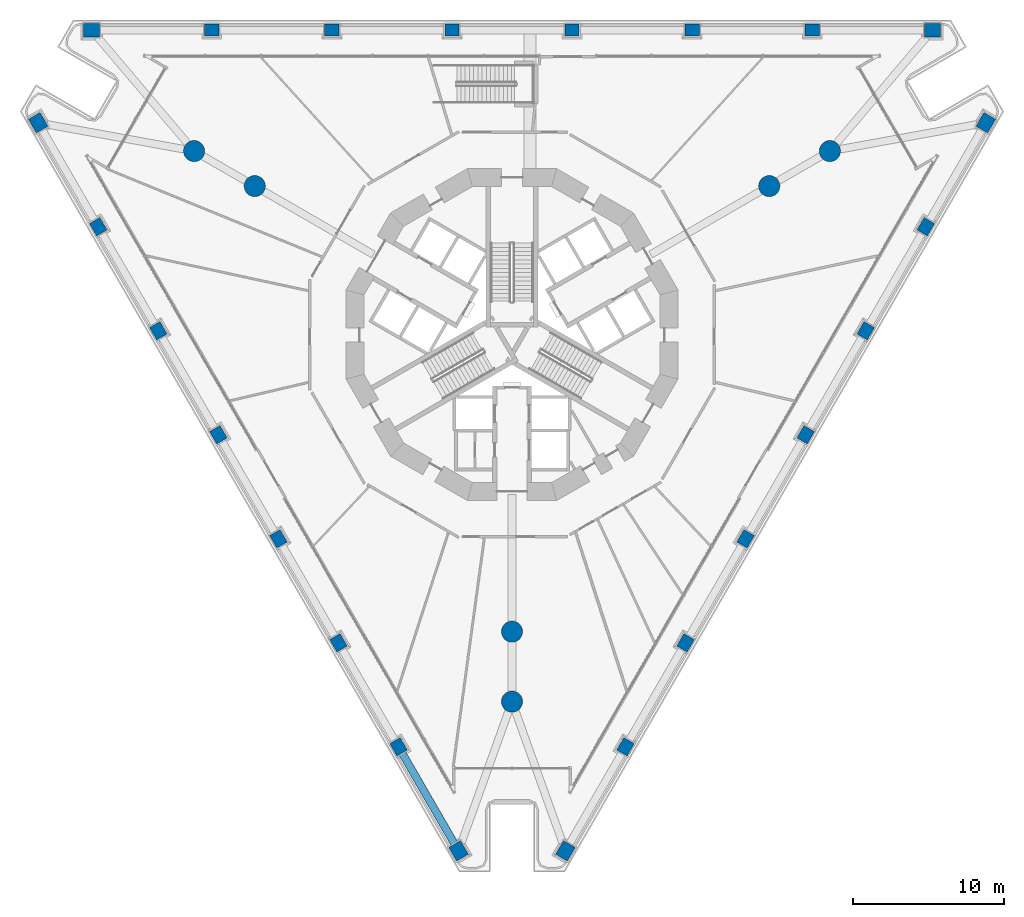
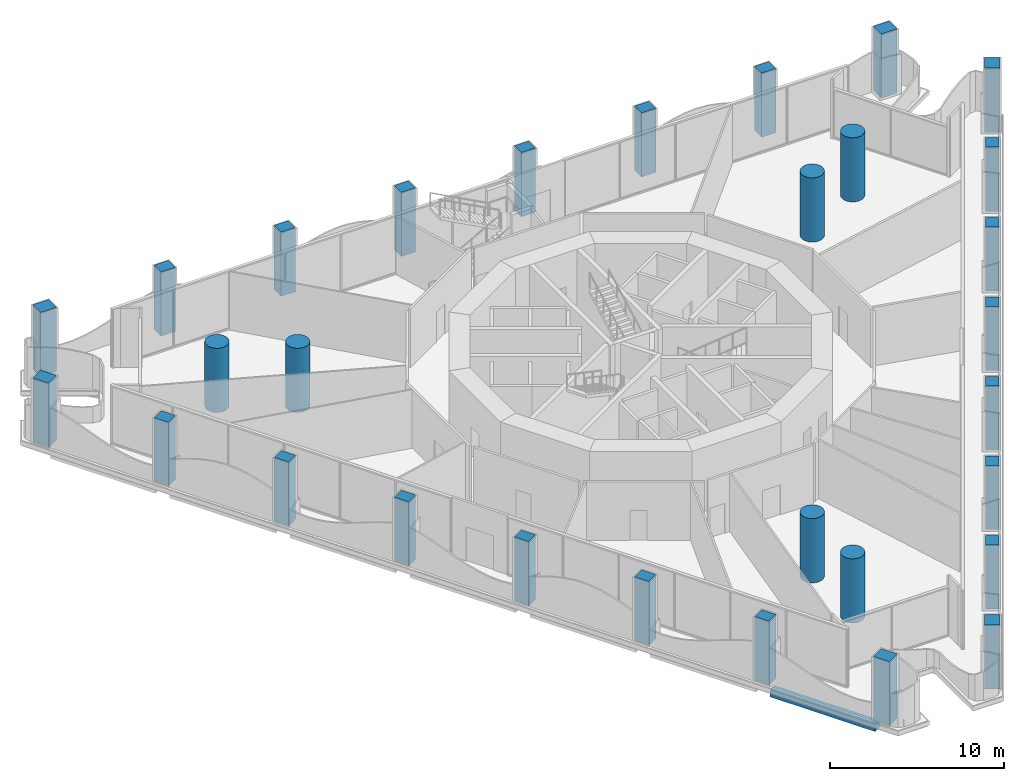
# One storey, part 1 of 21: 30 columns, 1 beam.
"""IFC4 building model written with IfcOpenShell, lengths in metres."""

from ifc_helpers import new_model, si_unit, direction, frame, origin, origin_2d, place, context, subcontext, project, spatial, rectangle, circle, extrude, material, material_profile, profile_set, type_object, element, save


model = new_model("IFC4")

# Units and contexts
model_context = context("Model", 3, precision=1e-05, world=origin(), true_north=direction((0.0, 1.0)))
body_context = subcontext(model_context, "Body", "Model", "MODEL_VIEW")
ifc_project = project(units=[si_unit("LENGTHUNIT", "METRE"), si_unit("AREAUNIT", "SQUARE_METRE"), si_unit("VOLUMEUNIT", "CUBIC_METRE"), si_unit("PLANEANGLEUNIT", "RADIAN"), si_unit("MASSUNIT", "GRAM", prefix="KILO")], contexts=[model_context])

# Site, building, storey
site_placement = place(None, origin())
site = spatial("IfcSite", under=ifc_project, at=site_placement, CompositionType="ELEMENT")
building_placement = place(site_placement, origin())
building = spatial("IfcBuilding", under=site, at=building_placement, Name="Trine Commons Tower", CompositionType="ELEMENT")
storey_placement = place(building_placement, frame((0.0, 0.0, 9.0)))
storey = spatial("IfcBuildingStorey", under=building, at=storey_placement, Name="L01", CompositionType="ELEMENT", Elevation=9.0)

# Columns
ifc_material_1 = material(Name="Concrete C80/95", Category="concrete")
ifc_material_profile_1 = material_profile(ifc_material_1, rectangle(XDim=1.050048828125, YDim=0.89990234375, at=origin_2d()), Name="RC 1050x900")
ifc_profile_set_1 = profile_set([ifc_material_profile_1], Name="Concrete C80/95")
column_type_1 = type_object("IfcColumnType", Name="RC column 1050x900, C80/95", PredefinedType="COLUMN", material=ifc_profile_set_1)
for number, where, z_axis, x_axis, name in (
    (1, (76.45556640625, 28.27001953125, 0.0), (0.0, 0.0, 1.0), (-0.5, 0.866025403784, 0.0), "Column PC1-01 L01"),
    (2, (48.583740234375, 76.54541015625, 0.0), (0.0, 0.0, 1.0), (-0.5, 0.866025403784, 0.0), "Column PC1-08 L01"),
    (3, (52.128173828125, 82.6845703125, 0.0), (0.0, 0.0, 1.0), (1.0, 0.0, 0.0), "Column PC1-09 L01"),
    (4, (107.871826171875, 82.6845703125, 0.0), (0.0, 0.0, 1.0), (1.0, 0.0, 0.0), "Column PC1-16 L01"),
    (5, (111.416259765625, 76.54541015625, 0.0), (0.0, 0.0, 1.0), (0.5, 0.866025403784, 0.0), "Column PC1-17 L01"),
    (6, (83.54443359375, 28.27001953125, 0.0), (0.0, 0.0, 1.0), (0.5, 0.866025403784, 0.0), "Column PC1-24 L01"),
):
    element("IfcColumn", number, at=place(storey_placement, frame(where, z_axis=z_axis, x_axis=x_axis)), inside=storey, type_object=column_type_1, Name=name, PredefinedType="COLUMN", context=body_context, shape_type="SweptSolid", body=[
        extrude(rectangle(XDim=1.050048828125, YDim=0.89990234375, at=origin_2d()), origin(), (0.0, 0.0, 1.0), 4.5),
    ])
ifc_material_profile_2 = material_profile(ifc_material_1, rectangle(XDim=0.949951171875, YDim=0.800048828125, at=origin_2d()), Name="RC 950x800")
ifc_profile_set_2 = profile_set([ifc_material_profile_2], Name="Concrete C80/95")
column_type_2 = type_object("IfcColumnType", Name="RC column 950x800, C80/95", PredefinedType="COLUMN", material=ifc_profile_set_2)
for number, where, z_axis, x_axis, name in (
    (7, (72.473876953125, 35.16650390625, 0.0), (0.0, 0.0, 1.0), (-0.5, 0.866025403784, 0.0), "Column PC1-02 L01"),
    (8, (68.4921875, 42.06298828125, 0.0), (0.0, 0.0, 1.0), (-0.5, 0.866025403784, 0.0), "Column PC1-03 L01"),
    (9, (64.510498046875, 48.95947265625, 0.0), (0.0, 0.0, 1.0), (-0.5, 0.866025403784, 0.0), "Column PC1-04 L01"),
    (10, (60.52880859375, 55.85595703125, 0.0), (0.0, 0.0, 1.0), (-0.5, 0.866025403784, 0.0), "Column PC1-05 L01"),
    (11, (56.547119140625, 62.75244140625, 0.0), (0.0, 0.0, 1.0), (-0.5, 0.866025403784, 0.0), "Column PC1-06 L01"),
    (12, (52.5654296875, 69.64892578125, 0.0), (0.0, 0.0, 1.0), (-0.5, 0.866025403784, 0.0), "Column PC1-07 L01"),
    (13, (60.091552734375, 82.6845703125, 0.0), (0.0, 0.0, 1.0), (1.0, 0.0, 0.0), "Column PC1-10 L01"),
    (14, (68.054931640625, 82.6845703125, 0.0), (0.0, 0.0, 1.0), (1.0, 0.0, 0.0), "Column PC1-11 L01"),
    (15, (76.018310546875, 82.6845703125, 0.0), (0.0, 0.0, 1.0), (1.0, 0.0, 0.0), "Column PC1-12 L01"),
    (16, (83.981689453125, 82.6845703125, 0.0), (0.0, 0.0, 1.0), (1.0, 0.0, 0.0), "Column PC1-13 L01"),
    (17, (91.945068359375, 82.6845703125, 0.0), (0.0, 0.0, 1.0), (1.0, 0.0, 0.0), "Column PC1-14 L01"),
    (18, (99.908447265625, 82.6845703125, 0.0), (0.0, 0.0, 1.0), (1.0, 0.0, 0.0), "Column PC1-15 L01"),
    (19, (107.4345703125, 69.64892578125, 0.0), (0.0, 0.0, 1.0), (0.5, 0.866025403784, 0.0), "Column PC1-18 L01"),
    (20, (103.452880859375, 62.75244140625, 0.0), (0.0, 0.0, 1.0), (0.5, 0.866025403784, 0.0), "Column PC1-19 L01"),
    (21, (99.47119140625, 55.85595703125, 0.0), (0.0, 0.0, 1.0), (0.5, 0.866025403784, 0.0), "Column PC1-20 L01"),
    (22, (95.489501953125, 48.95947265625, 0.0), (0.0, 0.0, 1.0), (0.5, 0.866025403784, 0.0), "Column PC1-21 L01"),
    (23, (91.5078125, 42.06298828125, 0.0), (0.0, 0.0, 1.0), (0.5, 0.866025403784, 0.0), "Column PC1-22 L01"),
    (24, (87.526123046875, 35.16650390625, 0.0), (0.0, 0.0, 1.0), (0.5, 0.866025403784, 0.0), "Column PC1-23 L01"),
):
    element("IfcColumn", number, at=place(storey_placement, frame(where, z_axis=z_axis, x_axis=x_axis)), inside=storey, type_object=column_type_2, Name=name, PredefinedType="COLUMN", context=body_context, shape_type="SweptSolid", body=[
        extrude(rectangle(XDim=0.949951171875, YDim=0.800048828125, at=origin_2d()), origin(), (0.0, 0.0, 1.0), 4.5),
    ])
ifc_material_profile_3 = material_profile(ifc_material_1, circle(Radius=0.699951171875, at=origin_2d()), Name="RC round 1400")
ifc_profile_set_3 = profile_set([ifc_material_profile_3], Name="Concrete C80/95")
column_type_3 = type_object("IfcColumnType", Name="RC round column 1400 mm, C80/95", PredefinedType="COLUMN", material=ifc_profile_set_3)
for number, where, z_axis, x_axis, name in (
    (25, (80.0, 42.802978515625, 0.0), (0.0, 0.0, 1.0), (1.0, 0.0, 0.0), "Column WC1-1 L01"),
    (26, (80.0, 38.162109375, 0.0), (0.0, 0.0, 1.0), (1.0, 0.0, 0.0), "Column WC1-2 L01"),
    (27, (97.05810546875, 72.348388671875, 0.0), (0.0, 0.0, 1.0), (1.0, 0.0, 0.0), "Column WC1-3 L01"),
    (28, (101.0771484375, 74.6689453125, 0.0), (0.0, 0.0, 1.0), (1.0, 0.0, 0.0), "Column WC1-4 L01"),
    (29, (62.94189453125, 72.348388671875, 0.0), (0.0, 0.0, 1.0), (1.0, 0.0, 0.0), "Column WC1-5 L01"),
    (30, (58.9228515625, 74.6689453125, 0.0), (0.0, 0.0, 1.0), (1.0, 0.0, 0.0), "Column WC1-6 L01"),
):
    element("IfcColumn", number, at=place(storey_placement, frame(where, z_axis=z_axis, x_axis=x_axis)), inside=storey, type_object=column_type_3, Name=name, PredefinedType="COLUMN", context=body_context, shape_type="SweptSolid", body=[
        extrude(circle(Radius=0.699951171875, at=origin_2d()), origin(), (0.0, 0.0, 1.0), 4.5),
    ])

# Beam
ifc_material_2 = material(Name="Concrete C50/60", Category="concrete")
ifc_material_profile_4 = material_profile(ifc_material_2, rectangle(XDim=0.5, YDim=0.5, at=origin_2d()), Name="RC 500x500")
ifc_profile_set_4 = profile_set([ifc_material_profile_4], Name="Concrete C50/60")
beam_type = type_object("IfcBeamType", Name="RC beam 500x500, C50/60", PredefinedType="BEAM", material=ifc_profile_set_4)
beam_placement = place(storey_placement, frame((76.193115234375, 28.724609375, -0.64990234375), z_axis=(-0.500022902661, 0.866012180523, 0.0), x_axis=(-0.866012180523, -0.500022902661, 0.0)))
element("IfcBeam", 31, at=beam_placement, inside=storey, type_object=beam_type, Name="Beam EB1-01 L01", PredefinedType="BEAM", context=body_context, shape_type="SweptSolid", body=[
    extrude(rectangle(XDim=0.5, YDim=0.5, at=origin_2d()), origin(), (0.0, 0.0, 1.0), 6.963623046875),
])

save(model, "model.ifc")
